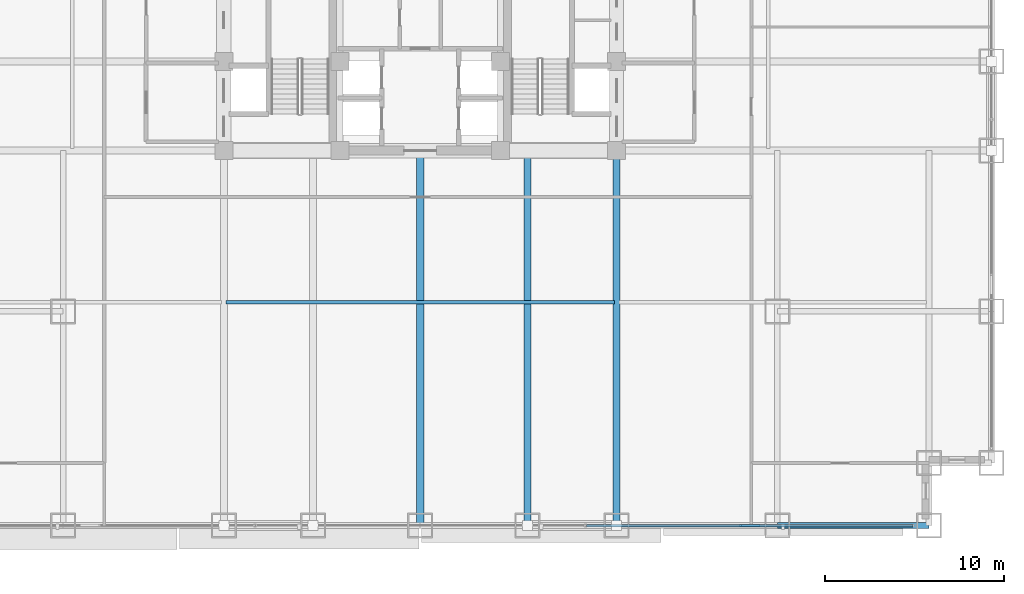
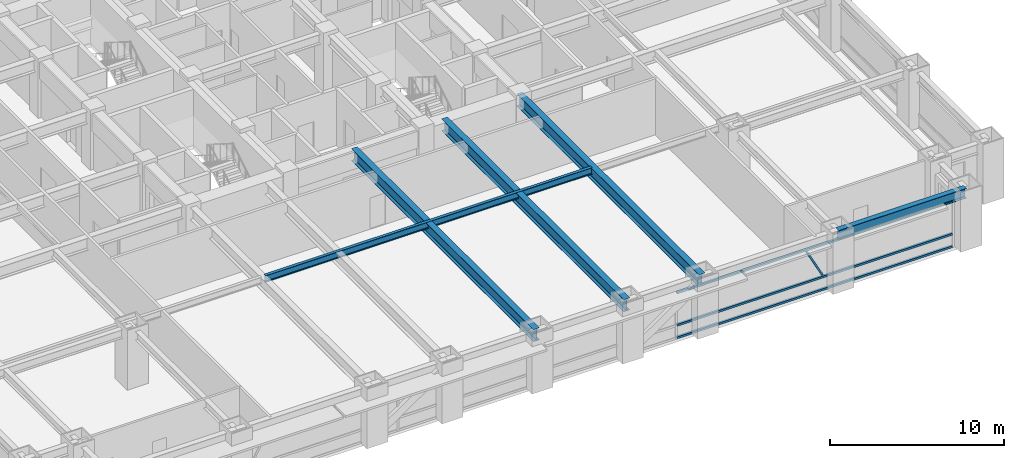
# One storey, part 9 of 31: 5 beams, 4 members, 1 element without a shape of its own.
"""IFC4 building model written with IfcOpenShell, lengths in metres."""

from ifc_helpers import new_model, si_unit, direction, frame, origin, origin_2d, place, context, subcontext, project, spatial, hollow_rectangle, i_section, extrude, source, transform, mapped, material, material_profile, profile_set, type_object, element, aggregate, save


model = new_model("IFC4")

# Units and contexts
model_context = context("Model", 3, precision=1e-05, world=origin(), true_north=direction((0.0, 1.0)))
body_context = subcontext(model_context, "Body", "Model", "MODEL_VIEW")
ifc_project = project(units=[si_unit("LENGTHUNIT", "METRE"), si_unit("AREAUNIT", "SQUARE_METRE"), si_unit("VOLUMEUNIT", "CUBIC_METRE"), si_unit("PLANEANGLEUNIT", "RADIAN"), si_unit("MASSUNIT", "GRAM", prefix="KILO")], contexts=[model_context])

# Site, building, storey
site_placement = place(None, origin())
site = spatial("IfcSite", under=ifc_project, at=site_placement, CompositionType="ELEMENT")
building_placement = place(site_placement, origin())
building = spatial("IfcBuilding", under=site, at=building_placement, Name="Khorayat Bourse Tower", CompositionType="ELEMENT")
storey_placement = place(building_placement, frame((0.0, 0.0, 36.800048828125)))
storey = spatial("IfcBuildingStorey", under=building, at=storey_placement, Name="L07", CompositionType="ELEMENT", Elevation=36.800048828125)

# Beams
ifc_material_1 = material(Name="Steel ASTM A992 Grade 50", Category="steel")
ifc_material_profile_1 = material_profile(ifc_material_1, i_section(OverallWidth=0.35498046875, OverallDepth=0.695068359375, WebThickness=0.015380859375, FlangeThickness=0.02490234375, FilletRadius=0.01806640625, at=origin_2d()), Name="W690X217")
ifc_profile_set_1 = profile_set([ifc_material_profile_1], Name="Steel ASTM A992 Grade 50")
beam_type_1 = type_object("IfcBeamType", Name="BM-SPAN-690", PredefinedType="SPANDREL", material=ifc_profile_set_1)
shared_shape_1 = source(origin(), body_context, "Body", "SweptSolid", [
    extrude(i_section(OverallWidth=0.35498046875, OverallDepth=0.695068359375, WebThickness=0.015380859375, FlangeThickness=0.02490234375, FilletRadius=0.01806640625, at=origin_2d()), origin(), (0.0, 0.0, 1.0), 8.5),
])
beam_1_placement = place(storey_placement, frame((20.0, -32.0, 3.592529296875), z_axis=(1.0, 0.0, 0.0), x_axis=(0.0, 1.0, 0.0)))
element("IfcBeam", 1, at=beam_1_placement, inside=storey, type_object=beam_type_1, Name="L07 BM-SPAN-690 BM-L07-SPN-031", PredefinedType="SPANDREL", context=body_context, shape_type="MappedRepresentation", body=[
    mapped(shared_shape_1, transform((0.0, 0.0, 0.0), scale=1.0)),
])
ifc_material_profile_2 = material_profile(ifc_material_1, i_section(OverallWidth=0.39990234375, OverallDepth=0.85498046875, WebThickness=0.018310546875, FlangeThickness=0.029296875, FilletRadius=0.02001953125, at=origin_2d()), Name="W840X299")
ifc_profile_set_2 = profile_set([ifc_material_profile_2], Name="Steel ASTM A992 Grade 50")
beam_type_2 = type_object("IfcBeamType", Name="BM-GIRD-840", PredefinedType="BEAM", material=ifc_profile_set_2)
shared_shape_2 = source(origin(), body_context, "Body", "SweptSolid", [
    extrude(i_section(OverallWidth=0.39990234375, OverallDepth=0.85498046875, WebThickness=0.018310546875, FlangeThickness=0.029296875, FilletRadius=0.02001953125, at=origin_2d()), origin(), (0.0, 0.0, 1.0), 21.0),
])
for number, where, z_axis, x_axis, name in (
    (2, (0.0, -32.0, 3.512451171875), (0.0, 1.0, 0.0), (-1.0, 0.0, 0.0), "L07 BM-GIRD-840 BM-L07-RADY-069"),
    (3, (6.0, -32.0, 3.512451171875), (0.0, 1.0, 0.0), (-1.0, 0.0, 0.0), "L07 BM-GIRD-840 BM-L07-RADY-071"),
    (4, (11.0, -32.0, 3.512451171875), (0.0, 1.0, 0.0), (-1.0, 0.0, 0.0), "L07 BM-GIRD-840 BM-L07-RADY-073"),
):
    element("IfcBeam", number, at=place(storey_placement, frame(where, z_axis=z_axis, x_axis=x_axis)), inside=storey, type_object=beam_type_2, Name=name, PredefinedType="BEAM", context=body_context, shape_type="MappedRepresentation", body=[
        mapped(shared_shape_2, transform((0.0, 0.0, 0.0), scale=1.0)),
    ])
ifc_material_profile_3 = material_profile(ifc_material_1, i_section(OverallWidth=0.194091796875, OverallDepth=0.468994140625, WebThickness=0.0126953125, FlangeThickness=0.0205078125, FilletRadius=0.012939453125, at=origin_2d()), Name="W460X106")
ifc_profile_set_3 = profile_set([ifc_material_profile_3], Name="Steel ASTM A992 Grade 50")
beam_type_3 = type_object("IfcBeamType", Name="BM-JOIST-460", PredefinedType="JOIST", material=ifc_profile_set_3)
shared_shape_3 = source(origin(), body_context, "Body", "SweptSolid", [
    extrude(i_section(OverallWidth=0.194091796875, OverallDepth=0.468994140625, WebThickness=0.0126953125, FlangeThickness=0.0205078125, FilletRadius=0.012939453125, at=origin_2d()), origin(), (0.0, 0.0, 1.0), 21.740234375),
])
beam_2_placement = place(storey_placement, frame((-10.8701171875, -19.5, 3.70556640625), z_axis=(1.0, 0.0, 0.0), x_axis=(0.0, 1.0, 0.0)))
element("IfcBeam", 5, at=beam_2_placement, inside=storey, type_object=beam_type_3, Name="L07 BM-JOIST-460 BM-L07-JSTX-097", PredefinedType="JOIST", context=body_context, shape_type="MappedRepresentation", body=[
    mapped(shared_shape_3, transform((0.0, 0.0, 0.0), scale=1.0)),
])

# Curtain wall, members
ifc_material_2 = material(Name="Aluminium EN AW-6063 T6", Category="aluminium")
curtain_wall_type = type_object("IfcCurtainWallType", Name="CW-SYS-02", PredefinedType="NOTDEFINED", material=ifc_material_2)
curtain_wall_placement = place(storey_placement, origin())
curtain_wall = element("IfcCurtainWall", 6, at=curtain_wall_placement, inside=storey, type_object=curtain_wall_type, Name="L07 Curtain Wall CW-L07-S1", PredefinedType="NOTDEFINED")
ifc_material_profile_4 = material_profile(ifc_material_2, hollow_rectangle(XDim=0.139892578125, YDim=0.139892578125, WallThickness=0.006103515625, at=origin_2d()), Name="ALU 140x140x6")
ifc_profile_set_4 = profile_set([ifc_material_profile_4], Name="Aluminium EN AW-6063 T6")
member_type_1 = type_object("IfcMemberType", Name="CWT-HORZ-140", PredefinedType="USERDEFINED", material=ifc_profile_set_4)
shared_shape_4 = source(origin(), body_context, "Body", "SweptSolid", [
    extrude(hollow_rectangle(XDim=0.139892578125, YDim=0.139892578125, WallThickness=0.006103515625, at=origin_2d()), origin(), (0.0, 0.0, 1.0), 18.2900390625),
])
member_1_placement = place(storey_placement, frame((9.320068359375, -32.0, 0.070068359375), z_axis=(1.0, 0.0, 0.0), x_axis=(0.0, 1.0, 0.0)))
member_1 = element("IfcMember", 7, at=member_1_placement, type_object=member_type_1, Name="CW-L07-S1 Horizontal Transom 3-1", ObjectType="TRANSOM", PredefinedType="USERDEFINED", context=body_context, shape_type="MappedRepresentation", body=[
    mapped(shared_shape_4, transform((0.0, 0.0, 0.0), scale=1.0)),
])
member_2_placement = place(storey_placement, frame((9.320068359375, -32.0, 0.949951171875), z_axis=(1.0, 0.0, 0.0), x_axis=(0.0, 1.0, 0.0)))
member_2 = element("IfcMember", 8, at=member_2_placement, type_object=member_type_1, Name="CW-L07-S1 Horizontal Transom 3-2", ObjectType="TRANSOM", PredefinedType="USERDEFINED", context=body_context, shape_type="MappedRepresentation", body=[
    mapped(shared_shape_4, transform((0.0, 0.0, 0.0), scale=1.0)),
])
member_3_placement = place(storey_placement, frame((9.320068359375, -32.0, 3.219970703125), z_axis=(1.0, 0.0, 0.0), x_axis=(0.0, 1.0, 0.0)))
member_3 = element("IfcMember", 9, at=member_3_placement, type_object=member_type_1, Name="CW-L07-S1 Horizontal Transom 3-3", ObjectType="TRANSOM", PredefinedType="USERDEFINED", context=body_context, shape_type="MappedRepresentation", body=[
    mapped(shared_shape_4, transform((0.0, 0.0, 0.0), scale=1.0)),
])
ifc_material_profile_5 = material_profile(ifc_material_2, hollow_rectangle(XDim=0.1201171875, YDim=0.1201171875, WallThickness=0.0048828125, at=origin_2d()), Name="ALU 120x120x5")
ifc_profile_set_5 = profile_set([ifc_material_profile_5], Name="Aluminium EN AW-6063 T6")
member_type_2 = type_object("IfcMemberType", Name="CWM-DIAG-120", PredefinedType="MULLION", material=ifc_profile_set_5)
shared_shape_5 = source(origin(), body_context, "Body", "SweptSolid", [
    extrude(hollow_rectangle(XDim=0.1201171875, YDim=0.1201171875, WallThickness=0.0048828125, at=origin_2d()), origin(), (0.0, 0.0, 1.0), 2.226318359375),
])
member_4_placement = place(storey_placement, frame((18.9833984375, -32.0, 1.099853515625), z_axis=(-0.465714796031, 0.0, 0.884934872608), x_axis=(0.0, -1.0, 0.0)))
member_4 = element("IfcMember", 10, at=member_4_placement, type_object=member_type_2, Name="CW-L07-S1 Faceted Diagonal Mullion 3", PredefinedType="MULLION", context=body_context, shape_type="MappedRepresentation", body=[
    mapped(shared_shape_5, transform((0.0, 0.0, 0.0), scale=1.0)),
])
aggregate(curtain_wall, [member_1, member_2, member_3, member_4])

save(model, "model.ifc")
